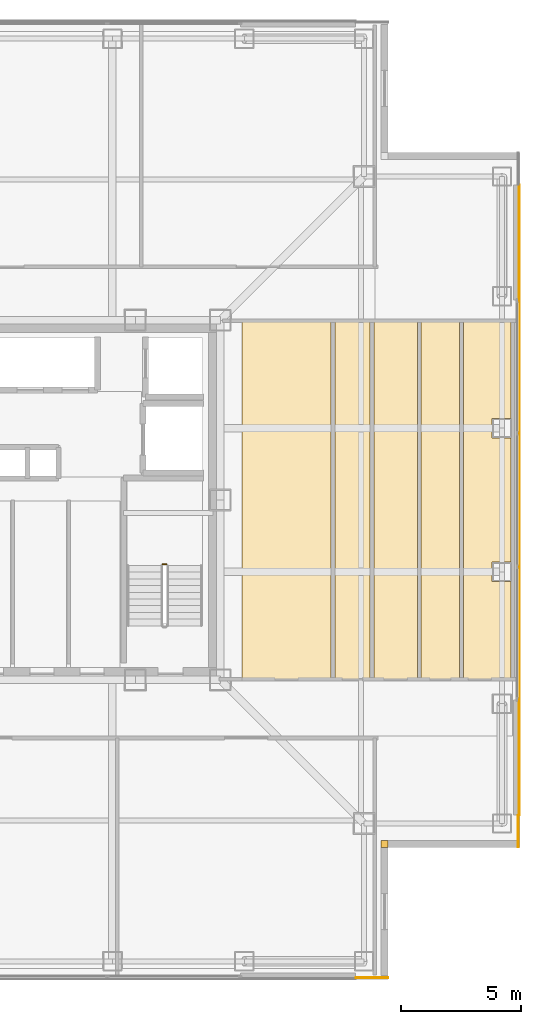
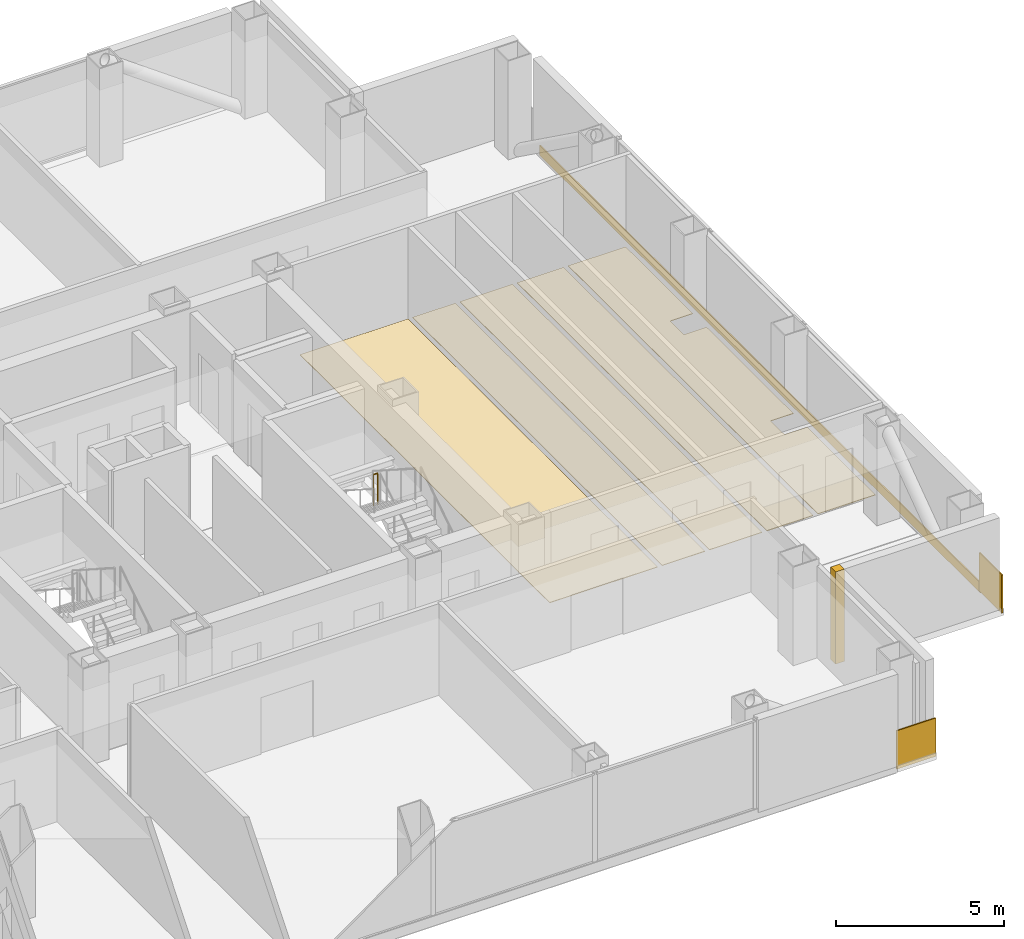
# One storey, part 16 of 17: 9 coverings, 1 railing.
"""IFC4 building model written with IfcOpenShell, lengths in metres."""

from ifc_helpers import new_model, si_unit, direction, frame, frame_2d, origin, origin_2d, place, context, subcontext, project, spatial, polyline, rectangle, circle, outline, extrude, material, layer, layer_set, type_object, element, save


model = new_model("IFC4")

# Units and contexts
model_context = context("Model", 3, precision=1e-05, world=origin(), true_north=direction((0.0, 1.0)))
body_context = subcontext(model_context, "Body", "Model", "MODEL_VIEW")
ifc_project = project(units=[si_unit("LENGTHUNIT", "METRE"), si_unit("AREAUNIT", "SQUARE_METRE"), si_unit("VOLUMEUNIT", "CUBIC_METRE"), si_unit("PLANEANGLEUNIT", "RADIAN"), si_unit("MASSUNIT", "GRAM", prefix="KILO")], contexts=[model_context])

# Site, building, storey
site_placement = place(None, origin())
site = spatial("IfcSite", under=ifc_project, at=site_placement, CompositionType="ELEMENT")
building_placement = place(site_placement, origin())
building = spatial("IfcBuilding", under=site, at=building_placement, Name="Trevonay Congress Spire", CompositionType="ELEMENT")
storey_placement = place(building_placement, frame((0.0, 0.0, 191.39990234375)))
storey = spatial("IfcBuildingStorey", under=building, at=storey_placement, Name="L49", CompositionType="ELEMENT", Elevation=191.39990234375)

# Coverings
ifc_material_1 = material(Name="Polished Granite Floor Tile", Category="masonry")
ifc_layer_1 = layer(ifc_material_1, 0.02001953125, Name="Polished Granite Floor Tile")
ifc_layer_set_1 = layer_set([ifc_layer_1], Name="Polished Granite Floor Tile")
covering_type_1 = type_object("IfcCoveringType", Name="COV-FLOOR-STONE", PredefinedType="FLOORING", material=ifc_layer_set_1)
covering_1_placement = place(storey_placement, origin())
element("IfcCovering", 1, at=covering_1_placement, inside=storey, type_object=covering_type_1, Name="L49 Club Linen and Glassware Store floor finish", PredefinedType="FLOORING", context=body_context, shape_type="SweptSolid", body=[
    extrude(outline(polyline([(8.39990234375, -7.47998046875), (12.1201171875, -7.47998046875), (12.1201171875, 7.419921875), (8.39990234375, 7.419921875), (8.39990234375, -7.47998046875)])), origin(), (0.0, 0.0, 1.0), 0.02001953125),
])
covering_2_placement = place(storey_placement, origin())
element("IfcCovering", 2, at=covering_2_placement, inside=storey, type_object=covering_type_1, Name="L49 Female Restroom WC floor finish", PredefinedType="FLOORING", context=body_context, shape_type="SweptSolid", body=[
    extrude(outline(polyline([(12.280029296875, -7.47998046875), (13.75, -7.47998046875), (13.75, 7.419921875), (12.280029296875, 7.419921875), (12.280029296875, -7.47998046875)])), origin(), (0.0, 0.0, 1.0), 0.02001953125),
])
covering_3_placement = place(storey_placement, origin())
element("IfcCovering", 3, at=covering_3_placement, inside=storey, type_object=covering_type_1, Name="L49 Floor Supplies and Copy Room floor finish", PredefinedType="FLOORING", context=body_context, shape_type="SweptSolid", body=[
    extrude(outline(polyline([(13.909912109375, -7.47998046875), (15.719970703125, -7.47998046875), (15.719970703125, 7.419921875), (13.909912109375, 7.419921875), (13.909912109375, -7.47998046875)])), origin(), (0.0, 0.0, 1.0), 0.02001953125),
])
covering_4_placement = place(storey_placement, origin())
element("IfcCovering", 4, at=covering_4_placement, inside=storey, type_object=covering_type_1, Name="L49 Male Restroom WC floor finish", PredefinedType="FLOORING", context=body_context, shape_type="SweptSolid", body=[
    extrude(outline(polyline([(15.8798828125, -7.47998046875), (17.47998046875, -7.47998046875), (17.47998046875, 7.419921875), (15.8798828125, 7.419921875), (15.8798828125, -7.47998046875)])), origin(), (0.0, 0.0, 1.0), 0.02001953125),
])
covering_5_placement = place(storey_placement, origin())
element("IfcCovering", 5, at=covering_5_placement, inside=storey, type_object=covering_type_1, Name="L49 Floor Supplies and Copy Room floor finish", PredefinedType="FLOORING", context=body_context, shape_type="SweptSolid", body=[
    extrude(outline(polyline([(19.6201171875, -7.47998046875), (17.639892578125, -7.47998046875), (17.639892578125, 7.419921875), (19.6201171875, 7.419921875), (19.6201171875, 3.409912109375), (18.840087890625, 3.409912109375), (18.840087890625, 2.590087890625), (19.6201171875, 2.590087890625), (19.6201171875, -2.590087890625), (18.840087890625, -2.590087890625), (18.840087890625, -3.409912109375), (19.6201171875, -3.409912109375), (19.6201171875, -7.47998046875)])), origin(), (0.0, 0.0, 1.0), 0.02001953125),
])
ifc_material_2 = material(Name="Pale Anodised Aluminium EN AW-6063-T6", Category="aluminium")
ifc_layer_2 = layer(ifc_material_2, 0.0400390625, Name="Pale Anodised Aluminium EN AW-6063-T6")
ifc_layer_set_2 = layer_set([ifc_layer_2], Name="Pale Anodised Aluminium EN AW-6063-T6")
covering_type_2 = type_object("IfcCoveringType", Name="COV-SPANDREL-PALE-METAL", PredefinedType="CLADDING", material=ifc_layer_set_2)
covering_6_placement = place(storey_placement, frame((19.97998046875, -13.14990234375, -0.239990234375), z_axis=(0.0, 0.0, 1.0), x_axis=(0.0, 1.0, 0.0)))
element("IfcCovering", 6, at=covering_6_placement, inside=storey, type_object=covering_type_2, Name="L49 E pale-metal slab-edge spandrel cladding", PredefinedType="CLADDING", context=body_context, shape_type="SweptSolid", body=[
    extrude(rectangle(XDim=26.2998046875, YDim=0.0400390625, at=frame_2d((13.14990234375, 0.0))), origin(), (0.0, 0.0, 1.0), 0.360107421875),
])
covering_7_placement = place(storey_placement, origin())
element("IfcCovering", 7, at=covering_7_placement, inside=storey, type_object=covering_type_2, Name="L49 SE re-entrant notch corner closure trim", PredefinedType="CLADDING", context=body_context, shape_type="SweptSolid", body=[
    extrude(outline(polyline([(14.199951171875, -14.5), (14.5, -14.5), (14.5, -14.199951171875), (14.199951171875, -14.199951171875), (14.199951171875, -14.5)])), origin(), (0.0, 0.0, 1.0), 3.360107421875),
])
for number, where, z_axis, x_axis, name in (
    (8, (19.93994140625, -13.14990234375, -0.14990234375), (0.0, 0.0, 1.0), (0.0, -1.0, 0.0), "L49 SE corner pier spandrel cladding 1"),
    (9, (13.14990234375, -19.93994140625, -0.14990234375), (0.0, 0.0, 1.0), (1.0, 0.0, 0.0), "L49 SE corner pier spandrel cladding 2"),
):
    element("IfcCovering", number, at=place(storey_placement, frame(where, z_axis=z_axis, x_axis=x_axis)), inside=storey, type_object=covering_type_2, Name=name, PredefinedType="CLADDING", context=body_context, shape_type="SweptSolid", body=[
        extrude(rectangle(XDim=1.35009765625, YDim=0.0400390625, at=frame_2d((0.675048828125, 0.0))), origin(), (0.0, 0.0, 1.0), 1.39990234375),
    ])

# Railing
railing_type = type_object("IfcRailingType", Name="RAL-STAIR-GUARD-110", PredefinedType="GUARDRAIL", material=ifc_material_2)
railing_placement = place(storey_placement, frame((5.25, -2.679931640625, 1.800048828125)))
element("IfcRailing", 10, at=railing_placement, inside=storey, type_object=railing_type, Name="L49 ST-2 stair guard 2", PredefinedType="GUARDRAIL", context=body_context, shape_type="SweptSolid", body=[
    extrude(circle(Radius=0.02392578125, at=origin_2d()), frame((0.0, 0.0, 1.1259765625), z_axis=(-1.0, 0.0, 0.0), x_axis=(0.0, -1.0, 0.0)), (0.0, 0.0, 1.0), 0.14990234375),
    extrude(circle(Radius=0.02099609375, at=origin_2d()), origin(), (0.0, 0.0, 1.0), 1.101806640625),
    extrude(circle(Radius=0.02099609375, at=origin_2d()), frame((-0.14990234375, 0.0, 0.0)), (0.0, 0.0, 1.0), 1.101806640625),
])

save(model, "model.ifc")
